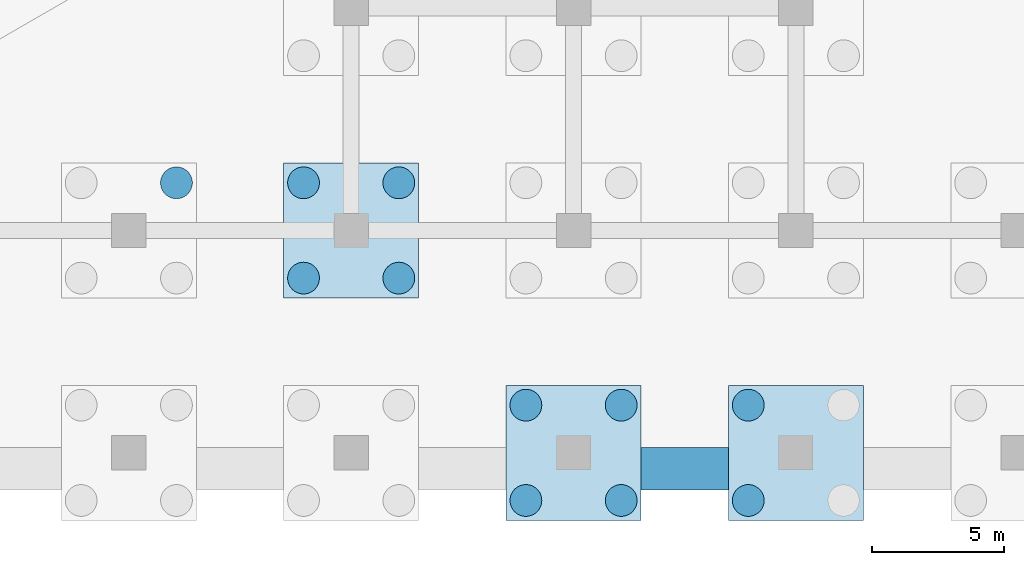
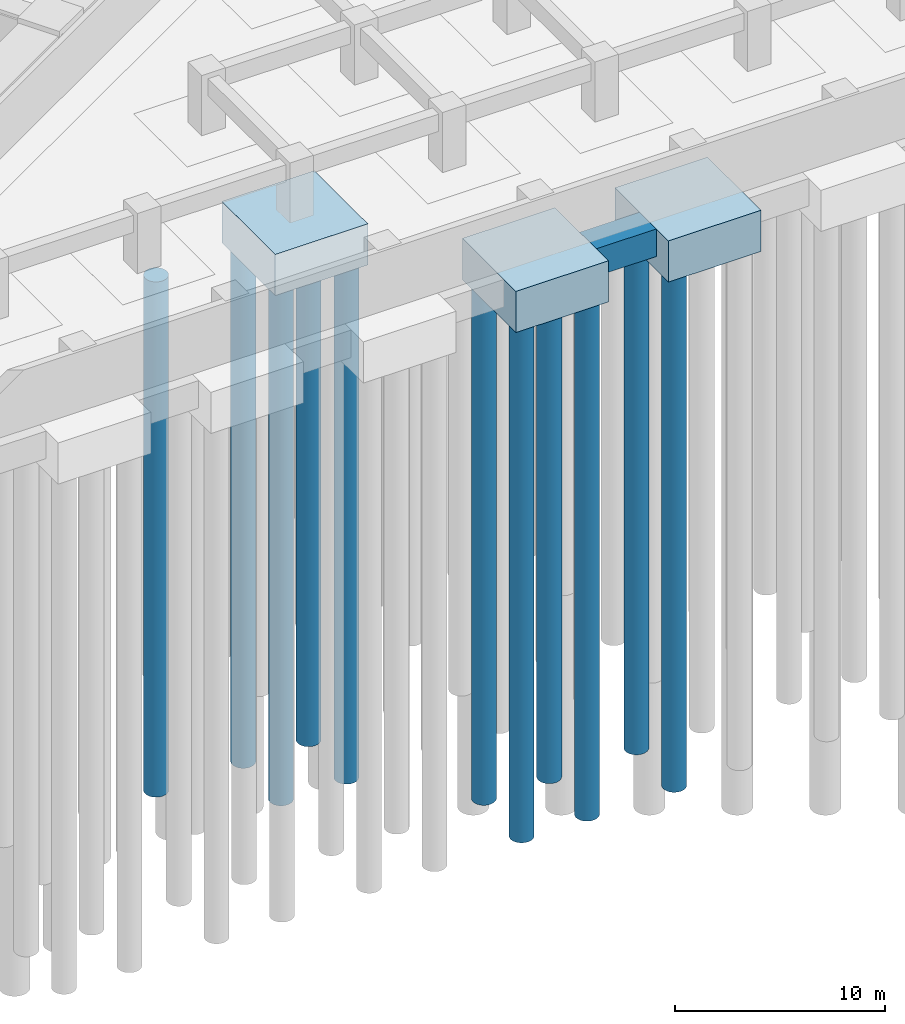
# One storey, part 7 of 73: 11 piles, 4 footings.
"""IFC4 building model written with IfcOpenShell, lengths in metres."""

from ifc_helpers import new_model, si_unit, direction, frame, origin, origin_2d, place, context, subcontext, project, spatial, polyline, circle, outline, extrude, material, material_profile, profile_set, type_object, element, save


model = new_model("IFC4")

# Units and contexts
model_context = context("Model", 3, precision=1e-05, world=origin(), true_north=direction((0.0, 1.0)))
body_context = subcontext(model_context, "Body", "Model", "MODEL_VIEW")
ifc_project = project(units=[si_unit("LENGTHUNIT", "METRE"), si_unit("AREAUNIT", "SQUARE_METRE"), si_unit("VOLUMEUNIT", "CUBIC_METRE"), si_unit("PLANEANGLEUNIT", "RADIAN"), si_unit("MASSUNIT", "GRAM", prefix="KILO")], contexts=[model_context])

# Site, building, storey
site_placement = place(None, origin())
site = spatial("IfcSite", under=ifc_project, at=site_placement, CompositionType="ELEMENT")
building_placement = place(site_placement, origin())
building = spatial("IfcBuilding", under=site, at=building_placement, Name="Impinga Residences", CompositionType="ELEMENT")
storey_placement = place(building_placement, frame((0.0, 0.0, -10.5)))
storey = spatial("IfcBuildingStorey", under=building, at=storey_placement, Name="B3", CompositionType="ELEMENT", Elevation=-10.5)

# Piles
ifc_material_1 = material(Name="Concrete C35/45", Category="concrete")
ifc_material_profile = material_profile(ifc_material_1, circle(Radius=0.60009765625, at=origin_2d()), Name="D1200")
ifc_profile_set = profile_set([ifc_material_profile], Name="Concrete C35/45")
pile_type = type_object("IfcPileType", Name="BP2 bored pile D1200", PredefinedType="BORED", material=ifc_profile_set)
pile_1_placement = place(storey_placement, frame((-15.0, -31.800048828125, -2.39990234375), z_axis=(0.0, 0.0, -1.0), x_axis=(1.0, 0.0, 0.0)))
element("IfcPile", 1, at=pile_1_placement, inside=storey, type_object=pile_type, Name="Cap pile BP2 5/B-3", PredefinedType="BORED", context=body_context, shape_type="SweptSolid", body=[
    extrude(outline(polyline([(0.60009765625, 0.0), (0.59716796875, 0.058837890625), (0.58837890625, 0.116943359375), (0.57421875, 0.174072265625), (0.554443359375, 0.2294921875), (0.529052734375, 0.282958984375), (0.498779296875, 0.333251953125), (0.4638671875, 0.380615234375), (0.42431640625, 0.42431640625), (0.380615234375, 0.4638671875), (0.333251953125, 0.498779296875), (0.282958984375, 0.529052734375), (0.2294921875, 0.554443359375), (0.174072265625, 0.57421875), (0.116943359375, 0.58837890625), (0.058837890625, 0.59716796875), (0.0, 0.60009765625), (-0.058837890625, 0.59716796875), (-0.116943359375, 0.58837890625), (-0.174072265625, 0.57421875), (-0.2294921875, 0.554443359375), (-0.282958984375, 0.529052734375), (-0.333251953125, 0.498779296875), (-0.380615234375, 0.4638671875), (-0.42431640625, 0.42431640625), (-0.4638671875, 0.380615234375), (-0.498779296875, 0.333251953125), (-0.529052734375, 0.282958984375), (-0.554443359375, 0.2294921875), (-0.57421875, 0.174072265625), (-0.58837890625, 0.116943359375), (-0.59716796875, 0.058837890625), (-0.60009765625, 0.0), (-0.59716796875, -0.058837890625), (-0.58837890625, -0.116943359375), (-0.57421875, -0.174072265625), (-0.554443359375, -0.2294921875), (-0.529052734375, -0.282958984375), (-0.498779296875, -0.333251953125), (-0.4638671875, -0.380615234375), (-0.42431640625, -0.42431640625), (-0.380615234375, -0.4638671875), (-0.333251953125, -0.498779296875), (-0.282958984375, -0.529052734375), (-0.2294921875, -0.554443359375), (-0.174072265625, -0.57421875), (-0.116943359375, -0.58837890625), (-0.058837890625, -0.59716796875), (0.0, -0.60009765625), (0.058837890625, -0.59716796875), (0.116943359375, -0.58837890625), (0.174072265625, -0.57421875), (0.2294921875, -0.554443359375), (0.282958984375, -0.529052734375), (0.333251953125, -0.498779296875), (0.380615234375, -0.4638671875), (0.42431640625, -0.42431640625), (0.4638671875, -0.380615234375), (0.498779296875, -0.333251953125), (0.529052734375, -0.282958984375), (0.554443359375, -0.2294921875), (0.57421875, -0.174072265625), (0.58837890625, -0.116943359375), (0.59716796875, -0.058837890625), (0.60009765625, 0.0)])), origin(), (0.0, 0.0, 1.0), 30.0),
])
pile_2_placement = place(storey_placement, frame((-10.199951171875, -35.39990234375, -2.39990234375), z_axis=(0.0, 0.0, -1.0), x_axis=(1.0, 0.0, 0.0)))
element("IfcPile", 2, at=pile_2_placement, inside=storey, type_object=pile_type, Name="Cap pile BP2 6/B-1", PredefinedType="BORED", context=body_context, shape_type="SweptSolid", body=[
    extrude(outline(polyline([(0.60009765625, 0.0), (0.59716796875, 0.058837890625), (0.58837890625, 0.116943359375), (0.57421875, 0.174072265625), (0.554443359375, 0.2294921875), (0.529052734375, 0.282958984375), (0.498779296875, 0.333251953125), (0.4638671875, 0.380615234375), (0.42431640625, 0.42431640625), (0.380615234375, 0.4638671875), (0.333251953125, 0.498779296875), (0.282958984375, 0.529052734375), (0.2294921875, 0.554443359375), (0.174072265625, 0.57421875), (0.116943359375, 0.58837890625), (0.058837890625, 0.59716796875), (0.0, 0.60009765625), (-0.058837890625, 0.59716796875), (-0.116943359375, 0.58837890625), (-0.174072265625, 0.57421875), (-0.2294921875, 0.554443359375), (-0.282958984375, 0.529052734375), (-0.333251953125, 0.498779296875), (-0.380615234375, 0.4638671875), (-0.42431640625, 0.42431640625), (-0.4638671875, 0.380615234375), (-0.498779296875, 0.333251953125), (-0.529052734375, 0.282958984375), (-0.554443359375, 0.2294921875), (-0.57421875, 0.174072265625), (-0.58837890625, 0.116943359375), (-0.59716796875, 0.058837890625), (-0.60009765625, 0.0), (-0.59716796875, -0.058837890625), (-0.58837890625, -0.116943359375), (-0.57421875, -0.174072265625), (-0.554443359375, -0.2294921875), (-0.529052734375, -0.282958984375), (-0.498779296875, -0.333251953125), (-0.4638671875, -0.380615234375), (-0.42431640625, -0.42431640625), (-0.380615234375, -0.4638671875), (-0.333251953125, -0.498779296875), (-0.282958984375, -0.529052734375), (-0.2294921875, -0.554443359375), (-0.174072265625, -0.57421875), (-0.116943359375, -0.58837890625), (-0.058837890625, -0.59716796875), (0.0, -0.60009765625), (0.058837890625, -0.59716796875), (0.116943359375, -0.58837890625), (0.174072265625, -0.57421875), (0.2294921875, -0.554443359375), (0.282958984375, -0.529052734375), (0.333251953125, -0.498779296875), (0.380615234375, -0.4638671875), (0.42431640625, -0.42431640625), (0.4638671875, -0.380615234375), (0.498779296875, -0.333251953125), (0.529052734375, -0.282958984375), (0.554443359375, -0.2294921875), (0.57421875, -0.174072265625), (0.58837890625, -0.116943359375), (0.59716796875, -0.058837890625), (0.60009765625, 0.0)])), origin(), (0.0, 0.0, 1.0), 30.0),
])
pile_3_placement = place(storey_placement, frame((-6.60009765625, -35.39990234375, -2.39990234375), z_axis=(0.0, 0.0, -1.0), x_axis=(1.0, 0.0, 0.0)))
element("IfcPile", 3, at=pile_3_placement, inside=storey, type_object=pile_type, Name="Cap pile BP2 6/B-2", PredefinedType="BORED", context=body_context, shape_type="SweptSolid", body=[
    extrude(outline(polyline([(0.60009765625, 0.0), (0.59716796875, 0.058837890625), (0.58837890625, 0.116943359375), (0.57421875, 0.174072265625), (0.554443359375, 0.2294921875), (0.529052734375, 0.282958984375), (0.498779296875, 0.333251953125), (0.4638671875, 0.380615234375), (0.42431640625, 0.42431640625), (0.380615234375, 0.4638671875), (0.333251953125, 0.498779296875), (0.282958984375, 0.529052734375), (0.2294921875, 0.554443359375), (0.174072265625, 0.57421875), (0.116943359375, 0.58837890625), (0.058837890625, 0.59716796875), (0.0, 0.60009765625), (-0.058837890625, 0.59716796875), (-0.116943359375, 0.58837890625), (-0.174072265625, 0.57421875), (-0.2294921875, 0.554443359375), (-0.282958984375, 0.529052734375), (-0.333251953125, 0.498779296875), (-0.380615234375, 0.4638671875), (-0.42431640625, 0.42431640625), (-0.4638671875, 0.380615234375), (-0.498779296875, 0.333251953125), (-0.529052734375, 0.282958984375), (-0.554443359375, 0.2294921875), (-0.57421875, 0.174072265625), (-0.58837890625, 0.116943359375), (-0.59716796875, 0.058837890625), (-0.60009765625, 0.0), (-0.59716796875, -0.058837890625), (-0.58837890625, -0.116943359375), (-0.57421875, -0.174072265625), (-0.554443359375, -0.2294921875), (-0.529052734375, -0.282958984375), (-0.498779296875, -0.333251953125), (-0.4638671875, -0.380615234375), (-0.42431640625, -0.42431640625), (-0.380615234375, -0.4638671875), (-0.333251953125, -0.498779296875), (-0.282958984375, -0.529052734375), (-0.2294921875, -0.554443359375), (-0.174072265625, -0.57421875), (-0.116943359375, -0.58837890625), (-0.058837890625, -0.59716796875), (0.0, -0.60009765625), (0.058837890625, -0.59716796875), (0.116943359375, -0.58837890625), (0.174072265625, -0.57421875), (0.2294921875, -0.554443359375), (0.282958984375, -0.529052734375), (0.333251953125, -0.498779296875), (0.380615234375, -0.4638671875), (0.42431640625, -0.42431640625), (0.4638671875, -0.380615234375), (0.498779296875, -0.333251953125), (0.529052734375, -0.282958984375), (0.554443359375, -0.2294921875), (0.57421875, -0.174072265625), (0.58837890625, -0.116943359375), (0.59716796875, -0.058837890625), (0.60009765625, 0.0)])), origin(), (0.0, 0.0, 1.0), 30.0),
])
pile_4_placement = place(storey_placement, frame((-6.60009765625, -31.800048828125, -2.39990234375), z_axis=(0.0, 0.0, -1.0), x_axis=(1.0, 0.0, 0.0)))
element("IfcPile", 4, at=pile_4_placement, inside=storey, type_object=pile_type, Name="Cap pile BP2 6/B-3", PredefinedType="BORED", context=body_context, shape_type="SweptSolid", body=[
    extrude(outline(polyline([(0.60009765625, 0.0), (0.59716796875, 0.058837890625), (0.58837890625, 0.116943359375), (0.57421875, 0.174072265625), (0.554443359375, 0.2294921875), (0.529052734375, 0.282958984375), (0.498779296875, 0.333251953125), (0.4638671875, 0.380615234375), (0.42431640625, 0.42431640625), (0.380615234375, 0.4638671875), (0.333251953125, 0.498779296875), (0.282958984375, 0.529052734375), (0.2294921875, 0.554443359375), (0.174072265625, 0.57421875), (0.116943359375, 0.58837890625), (0.058837890625, 0.59716796875), (0.0, 0.60009765625), (-0.058837890625, 0.59716796875), (-0.116943359375, 0.58837890625), (-0.174072265625, 0.57421875), (-0.2294921875, 0.554443359375), (-0.282958984375, 0.529052734375), (-0.333251953125, 0.498779296875), (-0.380615234375, 0.4638671875), (-0.42431640625, 0.42431640625), (-0.4638671875, 0.380615234375), (-0.498779296875, 0.333251953125), (-0.529052734375, 0.282958984375), (-0.554443359375, 0.2294921875), (-0.57421875, 0.174072265625), (-0.58837890625, 0.116943359375), (-0.59716796875, 0.058837890625), (-0.60009765625, 0.0), (-0.59716796875, -0.058837890625), (-0.58837890625, -0.116943359375), (-0.57421875, -0.174072265625), (-0.554443359375, -0.2294921875), (-0.529052734375, -0.282958984375), (-0.498779296875, -0.333251953125), (-0.4638671875, -0.380615234375), (-0.42431640625, -0.42431640625), (-0.380615234375, -0.4638671875), (-0.333251953125, -0.498779296875), (-0.282958984375, -0.529052734375), (-0.2294921875, -0.554443359375), (-0.174072265625, -0.57421875), (-0.116943359375, -0.58837890625), (-0.058837890625, -0.59716796875), (0.0, -0.60009765625), (0.058837890625, -0.59716796875), (0.116943359375, -0.58837890625), (0.174072265625, -0.57421875), (0.2294921875, -0.554443359375), (0.282958984375, -0.529052734375), (0.333251953125, -0.498779296875), (0.380615234375, -0.4638671875), (0.42431640625, -0.42431640625), (0.4638671875, -0.380615234375), (0.498779296875, -0.333251953125), (0.529052734375, -0.282958984375), (0.554443359375, -0.2294921875), (0.57421875, -0.174072265625), (0.58837890625, -0.116943359375), (0.59716796875, -0.058837890625), (0.60009765625, 0.0)])), origin(), (0.0, 0.0, 1.0), 30.0),
])
pile_5_placement = place(storey_placement, frame((-10.199951171875, -31.800048828125, -2.39990234375), z_axis=(0.0, 0.0, -1.0), x_axis=(1.0, 0.0, 0.0)))
element("IfcPile", 5, at=pile_5_placement, inside=storey, type_object=pile_type, Name="Cap pile BP2 6/B-4", PredefinedType="BORED", context=body_context, shape_type="SweptSolid", body=[
    extrude(outline(polyline([(0.60009765625, 0.0), (0.59716796875, 0.058837890625), (0.58837890625, 0.116943359375), (0.57421875, 0.174072265625), (0.554443359375, 0.2294921875), (0.529052734375, 0.282958984375), (0.498779296875, 0.333251953125), (0.4638671875, 0.380615234375), (0.42431640625, 0.42431640625), (0.380615234375, 0.4638671875), (0.333251953125, 0.498779296875), (0.282958984375, 0.529052734375), (0.2294921875, 0.554443359375), (0.174072265625, 0.57421875), (0.116943359375, 0.58837890625), (0.058837890625, 0.59716796875), (0.0, 0.60009765625), (-0.058837890625, 0.59716796875), (-0.116943359375, 0.58837890625), (-0.174072265625, 0.57421875), (-0.2294921875, 0.554443359375), (-0.282958984375, 0.529052734375), (-0.333251953125, 0.498779296875), (-0.380615234375, 0.4638671875), (-0.42431640625, 0.42431640625), (-0.4638671875, 0.380615234375), (-0.498779296875, 0.333251953125), (-0.529052734375, 0.282958984375), (-0.554443359375, 0.2294921875), (-0.57421875, 0.174072265625), (-0.58837890625, 0.116943359375), (-0.59716796875, 0.058837890625), (-0.60009765625, 0.0), (-0.59716796875, -0.058837890625), (-0.58837890625, -0.116943359375), (-0.57421875, -0.174072265625), (-0.554443359375, -0.2294921875), (-0.529052734375, -0.282958984375), (-0.498779296875, -0.333251953125), (-0.4638671875, -0.380615234375), (-0.42431640625, -0.42431640625), (-0.380615234375, -0.4638671875), (-0.333251953125, -0.498779296875), (-0.282958984375, -0.529052734375), (-0.2294921875, -0.554443359375), (-0.174072265625, -0.57421875), (-0.116943359375, -0.58837890625), (-0.058837890625, -0.59716796875), (0.0, -0.60009765625), (0.058837890625, -0.59716796875), (0.116943359375, -0.58837890625), (0.174072265625, -0.57421875), (0.2294921875, -0.554443359375), (0.282958984375, -0.529052734375), (0.333251953125, -0.498779296875), (0.380615234375, -0.4638671875), (0.42431640625, -0.42431640625), (0.4638671875, -0.380615234375), (0.498779296875, -0.333251953125), (0.529052734375, -0.282958984375), (0.554443359375, -0.2294921875), (0.57421875, -0.174072265625), (0.58837890625, -0.116943359375), (0.59716796875, -0.058837890625), (0.60009765625, 0.0)])), origin(), (0.0, 0.0, 1.0), 30.0),
])
pile_6_placement = place(storey_placement, frame((-1.800048828125, -43.800048828125, -2.39990234375), z_axis=(0.0, 0.0, -1.0), x_axis=(1.0, 0.0, 0.0)))
element("IfcPile", 6, at=pile_6_placement, inside=storey, type_object=pile_type, Name="Cap pile BP2 7/A-1", PredefinedType="BORED", context=body_context, shape_type="SweptSolid", body=[
    extrude(outline(polyline([(0.60009765625, 0.0), (0.59716796875, 0.058837890625), (0.58837890625, 0.116943359375), (0.57421875, 0.174072265625), (0.554443359375, 0.2294921875), (0.529052734375, 0.282958984375), (0.498779296875, 0.333251953125), (0.4638671875, 0.380615234375), (0.42431640625, 0.42431640625), (0.380615234375, 0.4638671875), (0.333251953125, 0.498779296875), (0.282958984375, 0.529052734375), (0.2294921875, 0.554443359375), (0.174072265625, 0.57421875), (0.116943359375, 0.58837890625), (0.058837890625, 0.59716796875), (0.0, 0.60009765625), (-0.058837890625, 0.59716796875), (-0.116943359375, 0.58837890625), (-0.174072265625, 0.57421875), (-0.2294921875, 0.554443359375), (-0.282958984375, 0.529052734375), (-0.333251953125, 0.498779296875), (-0.380615234375, 0.4638671875), (-0.42431640625, 0.42431640625), (-0.4638671875, 0.380615234375), (-0.498779296875, 0.333251953125), (-0.529052734375, 0.282958984375), (-0.554443359375, 0.2294921875), (-0.57421875, 0.174072265625), (-0.58837890625, 0.116943359375), (-0.59716796875, 0.058837890625), (-0.60009765625, 0.0), (-0.59716796875, -0.058837890625), (-0.58837890625, -0.116943359375), (-0.57421875, -0.174072265625), (-0.554443359375, -0.2294921875), (-0.529052734375, -0.282958984375), (-0.498779296875, -0.333251953125), (-0.4638671875, -0.380615234375), (-0.42431640625, -0.42431640625), (-0.380615234375, -0.4638671875), (-0.333251953125, -0.498779296875), (-0.282958984375, -0.529052734375), (-0.2294921875, -0.554443359375), (-0.174072265625, -0.57421875), (-0.116943359375, -0.58837890625), (-0.058837890625, -0.59716796875), (0.0, -0.60009765625), (0.058837890625, -0.59716796875), (0.116943359375, -0.58837890625), (0.174072265625, -0.57421875), (0.2294921875, -0.554443359375), (0.282958984375, -0.529052734375), (0.333251953125, -0.498779296875), (0.380615234375, -0.4638671875), (0.42431640625, -0.42431640625), (0.4638671875, -0.380615234375), (0.498779296875, -0.333251953125), (0.529052734375, -0.282958984375), (0.554443359375, -0.2294921875), (0.57421875, -0.174072265625), (0.58837890625, -0.116943359375), (0.59716796875, -0.058837890625), (0.60009765625, 0.0)])), origin(), (0.0, 0.0, 1.0), 30.0),
])
pile_7_placement = place(storey_placement, frame((1.800048828125, -43.800048828125, -2.39990234375), z_axis=(0.0, 0.0, -1.0), x_axis=(1.0, 0.0, 0.0)))
element("IfcPile", 7, at=pile_7_placement, inside=storey, type_object=pile_type, Name="Cap pile BP2 7/A-2", PredefinedType="BORED", context=body_context, shape_type="SweptSolid", body=[
    extrude(outline(polyline([(0.60009765625, 0.0), (0.59716796875, 0.058837890625), (0.58837890625, 0.116943359375), (0.57421875, 0.174072265625), (0.554443359375, 0.2294921875), (0.529052734375, 0.282958984375), (0.498779296875, 0.333251953125), (0.4638671875, 0.380615234375), (0.42431640625, 0.42431640625), (0.380615234375, 0.4638671875), (0.333251953125, 0.498779296875), (0.282958984375, 0.529052734375), (0.2294921875, 0.554443359375), (0.174072265625, 0.57421875), (0.116943359375, 0.58837890625), (0.058837890625, 0.59716796875), (0.0, 0.60009765625), (-0.058837890625, 0.59716796875), (-0.116943359375, 0.58837890625), (-0.174072265625, 0.57421875), (-0.2294921875, 0.554443359375), (-0.282958984375, 0.529052734375), (-0.333251953125, 0.498779296875), (-0.380615234375, 0.4638671875), (-0.42431640625, 0.42431640625), (-0.4638671875, 0.380615234375), (-0.498779296875, 0.333251953125), (-0.529052734375, 0.282958984375), (-0.554443359375, 0.2294921875), (-0.57421875, 0.174072265625), (-0.58837890625, 0.116943359375), (-0.59716796875, 0.058837890625), (-0.60009765625, 0.0), (-0.59716796875, -0.058837890625), (-0.58837890625, -0.116943359375), (-0.57421875, -0.174072265625), (-0.554443359375, -0.2294921875), (-0.529052734375, -0.282958984375), (-0.498779296875, -0.333251953125), (-0.4638671875, -0.380615234375), (-0.42431640625, -0.42431640625), (-0.380615234375, -0.4638671875), (-0.333251953125, -0.498779296875), (-0.282958984375, -0.529052734375), (-0.2294921875, -0.554443359375), (-0.174072265625, -0.57421875), (-0.116943359375, -0.58837890625), (-0.058837890625, -0.59716796875), (0.0, -0.60009765625), (0.058837890625, -0.59716796875), (0.116943359375, -0.58837890625), (0.174072265625, -0.57421875), (0.2294921875, -0.554443359375), (0.282958984375, -0.529052734375), (0.333251953125, -0.498779296875), (0.380615234375, -0.4638671875), (0.42431640625, -0.42431640625), (0.4638671875, -0.380615234375), (0.498779296875, -0.333251953125), (0.529052734375, -0.282958984375), (0.554443359375, -0.2294921875), (0.57421875, -0.174072265625), (0.58837890625, -0.116943359375), (0.59716796875, -0.058837890625), (0.60009765625, 0.0)])), origin(), (0.0, 0.0, 1.0), 30.0),
])
pile_8_placement = place(storey_placement, frame((1.800048828125, -40.199951171875, -2.39990234375), z_axis=(0.0, 0.0, -1.0), x_axis=(1.0, 0.0, 0.0)))
element("IfcPile", 8, at=pile_8_placement, inside=storey, type_object=pile_type, Name="Cap pile BP2 7/A-3", PredefinedType="BORED", context=body_context, shape_type="SweptSolid", body=[
    extrude(outline(polyline([(0.60009765625, 0.0), (0.59716796875, 0.058837890625), (0.58837890625, 0.116943359375), (0.57421875, 0.174072265625), (0.554443359375, 0.2294921875), (0.529052734375, 0.282958984375), (0.498779296875, 0.333251953125), (0.4638671875, 0.380615234375), (0.42431640625, 0.42431640625), (0.380615234375, 0.4638671875), (0.333251953125, 0.498779296875), (0.282958984375, 0.529052734375), (0.2294921875, 0.554443359375), (0.174072265625, 0.57421875), (0.116943359375, 0.58837890625), (0.058837890625, 0.59716796875), (0.0, 0.60009765625), (-0.058837890625, 0.59716796875), (-0.116943359375, 0.58837890625), (-0.174072265625, 0.57421875), (-0.2294921875, 0.554443359375), (-0.282958984375, 0.529052734375), (-0.333251953125, 0.498779296875), (-0.380615234375, 0.4638671875), (-0.42431640625, 0.42431640625), (-0.4638671875, 0.380615234375), (-0.498779296875, 0.333251953125), (-0.529052734375, 0.282958984375), (-0.554443359375, 0.2294921875), (-0.57421875, 0.174072265625), (-0.58837890625, 0.116943359375), (-0.59716796875, 0.058837890625), (-0.60009765625, 0.0), (-0.59716796875, -0.058837890625), (-0.58837890625, -0.116943359375), (-0.57421875, -0.174072265625), (-0.554443359375, -0.2294921875), (-0.529052734375, -0.282958984375), (-0.498779296875, -0.333251953125), (-0.4638671875, -0.380615234375), (-0.42431640625, -0.42431640625), (-0.380615234375, -0.4638671875), (-0.333251953125, -0.498779296875), (-0.282958984375, -0.529052734375), (-0.2294921875, -0.554443359375), (-0.174072265625, -0.57421875), (-0.116943359375, -0.58837890625), (-0.058837890625, -0.59716796875), (0.0, -0.60009765625), (0.058837890625, -0.59716796875), (0.116943359375, -0.58837890625), (0.174072265625, -0.57421875), (0.2294921875, -0.554443359375), (0.282958984375, -0.529052734375), (0.333251953125, -0.498779296875), (0.380615234375, -0.4638671875), (0.42431640625, -0.42431640625), (0.4638671875, -0.380615234375), (0.498779296875, -0.333251953125), (0.529052734375, -0.282958984375), (0.554443359375, -0.2294921875), (0.57421875, -0.174072265625), (0.58837890625, -0.116943359375), (0.59716796875, -0.058837890625), (0.60009765625, 0.0)])), origin(), (0.0, 0.0, 1.0), 30.0),
])
pile_9_placement = place(storey_placement, frame((-1.800048828125, -40.199951171875, -2.39990234375), z_axis=(0.0, 0.0, -1.0), x_axis=(1.0, 0.0, 0.0)))
element("IfcPile", 9, at=pile_9_placement, inside=storey, type_object=pile_type, Name="Cap pile BP2 7/A-4", PredefinedType="BORED", context=body_context, shape_type="SweptSolid", body=[
    extrude(outline(polyline([(0.60009765625, 0.0), (0.59716796875, 0.058837890625), (0.58837890625, 0.116943359375), (0.57421875, 0.174072265625), (0.554443359375, 0.2294921875), (0.529052734375, 0.282958984375), (0.498779296875, 0.333251953125), (0.4638671875, 0.380615234375), (0.42431640625, 0.42431640625), (0.380615234375, 0.4638671875), (0.333251953125, 0.498779296875), (0.282958984375, 0.529052734375), (0.2294921875, 0.554443359375), (0.174072265625, 0.57421875), (0.116943359375, 0.58837890625), (0.058837890625, 0.59716796875), (0.0, 0.60009765625), (-0.058837890625, 0.59716796875), (-0.116943359375, 0.58837890625), (-0.174072265625, 0.57421875), (-0.2294921875, 0.554443359375), (-0.282958984375, 0.529052734375), (-0.333251953125, 0.498779296875), (-0.380615234375, 0.4638671875), (-0.42431640625, 0.42431640625), (-0.4638671875, 0.380615234375), (-0.498779296875, 0.333251953125), (-0.529052734375, 0.282958984375), (-0.554443359375, 0.2294921875), (-0.57421875, 0.174072265625), (-0.58837890625, 0.116943359375), (-0.59716796875, 0.058837890625), (-0.60009765625, 0.0), (-0.59716796875, -0.058837890625), (-0.58837890625, -0.116943359375), (-0.57421875, -0.174072265625), (-0.554443359375, -0.2294921875), (-0.529052734375, -0.282958984375), (-0.498779296875, -0.333251953125), (-0.4638671875, -0.380615234375), (-0.42431640625, -0.42431640625), (-0.380615234375, -0.4638671875), (-0.333251953125, -0.498779296875), (-0.282958984375, -0.529052734375), (-0.2294921875, -0.554443359375), (-0.174072265625, -0.57421875), (-0.116943359375, -0.58837890625), (-0.058837890625, -0.59716796875), (0.0, -0.60009765625), (0.058837890625, -0.59716796875), (0.116943359375, -0.58837890625), (0.174072265625, -0.57421875), (0.2294921875, -0.554443359375), (0.282958984375, -0.529052734375), (0.333251953125, -0.498779296875), (0.380615234375, -0.4638671875), (0.42431640625, -0.42431640625), (0.4638671875, -0.380615234375), (0.498779296875, -0.333251953125), (0.529052734375, -0.282958984375), (0.554443359375, -0.2294921875), (0.57421875, -0.174072265625), (0.58837890625, -0.116943359375), (0.59716796875, -0.058837890625), (0.60009765625, 0.0)])), origin(), (0.0, 0.0, 1.0), 30.0),
])
pile_10_placement = place(storey_placement, frame((6.60009765625, -43.800048828125, -2.39990234375), z_axis=(0.0, 0.0, -1.0), x_axis=(1.0, 0.0, 0.0)))
element("IfcPile", 10, at=pile_10_placement, inside=storey, type_object=pile_type, Name="Cap pile BP2 8/A-1", PredefinedType="BORED", context=body_context, shape_type="SweptSolid", body=[
    extrude(outline(polyline([(0.60009765625, 0.0), (0.59716796875, 0.058837890625), (0.58837890625, 0.116943359375), (0.57421875, 0.174072265625), (0.554443359375, 0.2294921875), (0.529052734375, 0.282958984375), (0.498779296875, 0.333251953125), (0.4638671875, 0.380615234375), (0.42431640625, 0.42431640625), (0.380615234375, 0.4638671875), (0.333251953125, 0.498779296875), (0.282958984375, 0.529052734375), (0.2294921875, 0.554443359375), (0.174072265625, 0.57421875), (0.116943359375, 0.58837890625), (0.058837890625, 0.59716796875), (0.0, 0.60009765625), (-0.058837890625, 0.59716796875), (-0.116943359375, 0.58837890625), (-0.174072265625, 0.57421875), (-0.2294921875, 0.554443359375), (-0.282958984375, 0.529052734375), (-0.333251953125, 0.498779296875), (-0.380615234375, 0.4638671875), (-0.42431640625, 0.42431640625), (-0.4638671875, 0.380615234375), (-0.498779296875, 0.333251953125), (-0.529052734375, 0.282958984375), (-0.554443359375, 0.2294921875), (-0.57421875, 0.174072265625), (-0.58837890625, 0.116943359375), (-0.59716796875, 0.058837890625), (-0.60009765625, 0.0), (-0.59716796875, -0.058837890625), (-0.58837890625, -0.116943359375), (-0.57421875, -0.174072265625), (-0.554443359375, -0.2294921875), (-0.529052734375, -0.282958984375), (-0.498779296875, -0.333251953125), (-0.4638671875, -0.380615234375), (-0.42431640625, -0.42431640625), (-0.380615234375, -0.4638671875), (-0.333251953125, -0.498779296875), (-0.282958984375, -0.529052734375), (-0.2294921875, -0.554443359375), (-0.174072265625, -0.57421875), (-0.116943359375, -0.58837890625), (-0.058837890625, -0.59716796875), (0.0, -0.60009765625), (0.058837890625, -0.59716796875), (0.116943359375, -0.58837890625), (0.174072265625, -0.57421875), (0.2294921875, -0.554443359375), (0.282958984375, -0.529052734375), (0.333251953125, -0.498779296875), (0.380615234375, -0.4638671875), (0.42431640625, -0.42431640625), (0.4638671875, -0.380615234375), (0.498779296875, -0.333251953125), (0.529052734375, -0.282958984375), (0.554443359375, -0.2294921875), (0.57421875, -0.174072265625), (0.58837890625, -0.116943359375), (0.59716796875, -0.058837890625), (0.60009765625, 0.0)])), origin(), (0.0, 0.0, 1.0), 30.0),
])
pile_11_placement = place(storey_placement, frame((6.60009765625, -40.199951171875, -2.39990234375), z_axis=(0.0, 0.0, -1.0), x_axis=(1.0, 0.0, 0.0)))
element("IfcPile", 11, at=pile_11_placement, inside=storey, type_object=pile_type, Name="Cap pile BP2 8/A-4", PredefinedType="BORED", context=body_context, shape_type="SweptSolid", body=[
    extrude(outline(polyline([(0.60009765625, 0.0), (0.59716796875, 0.058837890625), (0.58837890625, 0.116943359375), (0.57421875, 0.174072265625), (0.554443359375, 0.2294921875), (0.529052734375, 0.282958984375), (0.498779296875, 0.333251953125), (0.4638671875, 0.380615234375), (0.42431640625, 0.42431640625), (0.380615234375, 0.4638671875), (0.333251953125, 0.498779296875), (0.282958984375, 0.529052734375), (0.2294921875, 0.554443359375), (0.174072265625, 0.57421875), (0.116943359375, 0.58837890625), (0.058837890625, 0.59716796875), (0.0, 0.60009765625), (-0.058837890625, 0.59716796875), (-0.116943359375, 0.58837890625), (-0.174072265625, 0.57421875), (-0.2294921875, 0.554443359375), (-0.282958984375, 0.529052734375), (-0.333251953125, 0.498779296875), (-0.380615234375, 0.4638671875), (-0.42431640625, 0.42431640625), (-0.4638671875, 0.380615234375), (-0.498779296875, 0.333251953125), (-0.529052734375, 0.282958984375), (-0.554443359375, 0.2294921875), (-0.57421875, 0.174072265625), (-0.58837890625, 0.116943359375), (-0.59716796875, 0.058837890625), (-0.60009765625, 0.0), (-0.59716796875, -0.058837890625), (-0.58837890625, -0.116943359375), (-0.57421875, -0.174072265625), (-0.554443359375, -0.2294921875), (-0.529052734375, -0.282958984375), (-0.498779296875, -0.333251953125), (-0.4638671875, -0.380615234375), (-0.42431640625, -0.42431640625), (-0.380615234375, -0.4638671875), (-0.333251953125, -0.498779296875), (-0.282958984375, -0.529052734375), (-0.2294921875, -0.554443359375), (-0.174072265625, -0.57421875), (-0.116943359375, -0.58837890625), (-0.058837890625, -0.59716796875), (0.0, -0.60009765625), (0.058837890625, -0.59716796875), (0.116943359375, -0.58837890625), (0.174072265625, -0.57421875), (0.2294921875, -0.554443359375), (0.282958984375, -0.529052734375), (0.333251953125, -0.498779296875), (0.380615234375, -0.4638671875), (0.42431640625, -0.42431640625), (0.4638671875, -0.380615234375), (0.498779296875, -0.333251953125), (0.529052734375, -0.282958984375), (0.554443359375, -0.2294921875), (0.57421875, -0.174072265625), (0.58837890625, -0.116943359375), (0.59716796875, -0.058837890625), (0.60009765625, 0.0)])), origin(), (0.0, 0.0, 1.0), 30.0),
])

# Footings
ifc_material_2 = material(Name="Concrete C45/55", Category="concrete")
footing_type_1 = type_object("IfcFootingType", Name="PC4 four-pile cap 5100 square 2400 deep", PredefinedType="PILE_CAP", material=ifc_material_2)
footing_1_placement = place(storey_placement, frame((0.0, 0.0, -2.39990234375)))
element("IfcFooting", 12, at=footing_1_placement, inside=storey, type_object=footing_type_1, Name="Pile cap PC4 6/B", PredefinedType="PILE_CAP", context=body_context, shape_type="SweptSolid", body=[
    extrude(outline(polyline([(-5.85009765625, -36.14990234375), (-5.85009765625, -31.050048828125), (-10.949951171875, -31.050048828125), (-10.949951171875, -36.14990234375), (-5.85009765625, -36.14990234375)])), origin(), (0.0, 0.0, 1.0), 2.39990234375),
])
footing_2_placement = place(storey_placement, frame((0.0, 0.0, -2.39990234375)))
element("IfcFooting", 13, at=footing_2_placement, inside=storey, type_object=footing_type_1, Name="Pile cap PC4 7/A", PredefinedType="PILE_CAP", context=body_context, shape_type="SweptSolid", body=[
    extrude(outline(polyline([(2.550048828125, -44.550048828125), (2.550048828125, -39.449951171875), (-2.550048828125, -39.449951171875), (-2.550048828125, -44.550048828125), (2.550048828125, -44.550048828125)])), origin(), (0.0, 0.0, 1.0), 2.39990234375),
])
footing_3_placement = place(storey_placement, frame((0.0, 0.0, -2.39990234375)))
element("IfcFooting", 14, at=footing_3_placement, inside=storey, type_object=footing_type_1, Name="Pile cap PC4 8/A", PredefinedType="PILE_CAP", context=body_context, shape_type="SweptSolid", body=[
    extrude(outline(polyline([(10.949951171875, -44.550048828125), (10.949951171875, -39.449951171875), (5.85009765625, -39.449951171875), (5.85009765625, -44.550048828125), (10.949951171875, -44.550048828125)])), origin(), (0.0, 0.0, 1.0), 2.39990234375),
])
footing_type_2 = type_object("IfcFootingType", Name="SF1 strip footing 1600 wide 1600 deep", PredefinedType="STRIP_FOOTING", material=ifc_material_2)
footing_4_placement = place(storey_placement, frame((0.0, 0.0, -1.60009765625)))
element("IfcFooting", 15, at=footing_4_placement, inside=storey, type_object=footing_type_2, Name="Strip footing SF1 S 6", PredefinedType="STRIP_FOOTING", context=body_context, shape_type="SweptSolid", body=[
    extrude(outline(polyline([(2.550048828125, -43.39990234375), (2.550048828125, -41.800048828125), (5.85009765625, -41.800048828125), (5.85009765625, -43.39990234375), (2.550048828125, -43.39990234375)])), origin(), (0.0, 0.0, 1.0), 1.60009765625),
])

save(model, "model.ifc")
